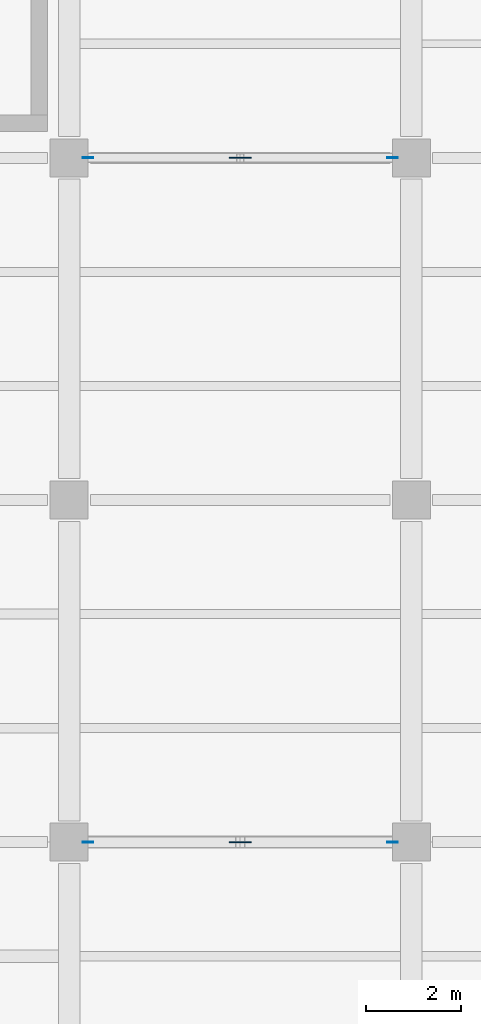
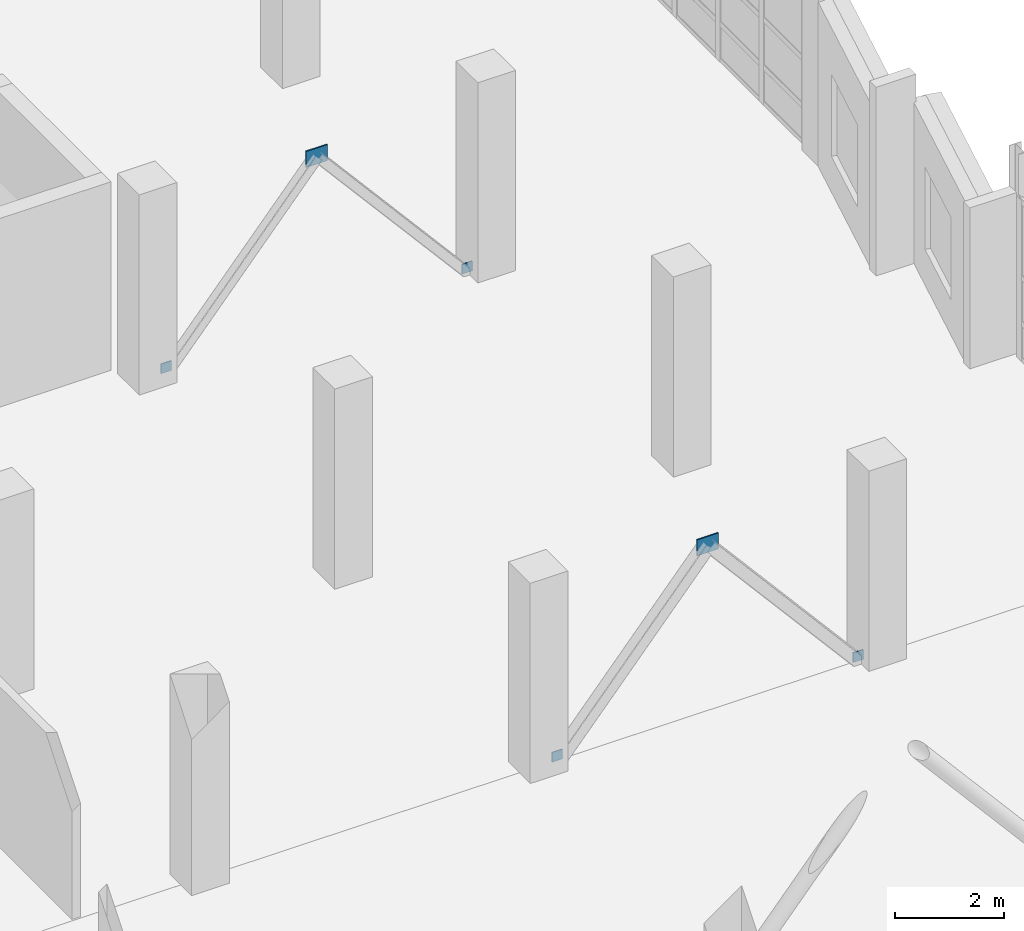
# One storey, part 83 of 123: 6 plates.
"""IFC4 building model written with IfcOpenShell, lengths in metres."""

from ifc_helpers import new_model, si_unit, direction, frame, origin, origin_2d, place, context, subcontext, project, spatial, rectangle, extrude, material, layer, layer_set, type_object, element, save


model = new_model("IFC4")

# Units and contexts
model_context = context("Model", 3, precision=1e-05, world=origin(), true_north=direction((0.0, 1.0)))
body_context = subcontext(model_context, "Body", "Model", "MODEL_VIEW")
ifc_project = project(units=[si_unit("LENGTHUNIT", "METRE"), si_unit("AREAUNIT", "SQUARE_METRE"), si_unit("VOLUMEUNIT", "CUBIC_METRE"), si_unit("PLANEANGLEUNIT", "RADIAN"), si_unit("MASSUNIT", "GRAM", prefix="KILO")], contexts=[model_context])

# Site, building, storey
site_placement = place(None, origin())
site = spatial("IfcSite", under=ifc_project, at=site_placement, CompositionType="ELEMENT")
building_placement = place(site_placement, origin())
building = spatial("IfcBuilding", under=site, at=building_placement, Name="Kalmorath City Hall", CompositionType="ELEMENT")
storey_placement = place(building_placement, frame((0.0, 0.0, 10.199951171875)))
storey = spatial("IfcBuildingStorey", under=building, at=storey_placement, Name="L02", CompositionType="ELEMENT", Elevation=10.199951171875)

# Plates
ifc_material_1 = material(Name="Steel ASTM A572 Grade 50", Category="steel")
ifc_layer_1 = layer(ifc_material_1, 0.02001953125)
ifc_layer_set_1 = layer_set([ifc_layer_1], Name="Steel ASTM A572 Grade 50")
plate_type_1 = type_object("IfcPlateType", Name="Steel HSS end-cap plate 220x220x20", PredefinedType="SHEET", material=ifc_layer_set_1)
for number, where, z_axis, x_axis, name in (
    (1, (14.800048828125, 36.0, 0.0), (0.0, 0.0, 1.0), (1.0, 0.0, 0.0), "L02 brace foot end-plate GP5-12L"),
    (2, (21.199951171875, 36.0, 0.0), (0.0, 0.0, 1.0), (1.0, 0.0, 0.0), "L02 brace foot end-plate GP5-12R"),
    (3, (14.800048828125, 50.39990234375, 0.0), (0.0, 0.0, 1.0), (1.0, 0.0, 0.0), "L02 brace foot end-plate GP5-19L"),
    (4, (21.199951171875, 50.39990234375, 0.0), (0.0, 0.0, 1.0), (1.0, 0.0, 0.0), "L02 brace foot end-plate GP5-19R"),
):
    element("IfcPlate", number, at=place(storey_placement, frame(where, z_axis=z_axis, x_axis=x_axis)), inside=storey, type_object=plate_type_1, Name=name, PredefinedType="SHEET", context=body_context, shape_type="SweptSolid", body=[
        extrude(rectangle(XDim=0.219970703125, YDim=0.02001953125, at=origin_2d()), origin(), (0.0, 0.0, 1.0), 0.219970703125),
    ])
ifc_material_2 = material(Name="Steel ASTM A572 Grade 50", Category="steel")
ifc_layer_2 = layer(ifc_material_2, 0.028076171875)
ifc_layer_set_2 = layer_set([ifc_layer_2], Name="Steel ASTM A572 Grade 50")
plate_type_2 = type_object("IfcPlateType", Name="Steel truss node gusset plate 460x360x28", PredefinedType="USERDEFINED", material=ifc_layer_set_2)
for number, where, z_axis, x_axis, name in (
    (5, (18.0, 36.0, 3.56005859375), (0.0, 0.0, 1.0), (1.0, 0.0, 0.0), "L02 brace gusset plate GP3-12"),
    (6, (18.0, 50.39990234375, 3.56005859375), (0.0, 0.0, 1.0), (1.0, 0.0, 0.0), "L02 brace gusset plate GP3-19"),
):
    element("IfcPlate", number, at=place(storey_placement, frame(where, z_axis=z_axis, x_axis=x_axis)), inside=storey, type_object=plate_type_2, Name=name, ObjectType="GUSSET PLATE", PredefinedType="USERDEFINED", context=body_context, shape_type="SweptSolid", body=[
        extrude(rectangle(XDim=0.4599609375, YDim=0.028076171875, at=origin_2d()), origin(), (0.0, 0.0, 1.0), 0.360107421875),
    ])

save(model, "model.ifc")
